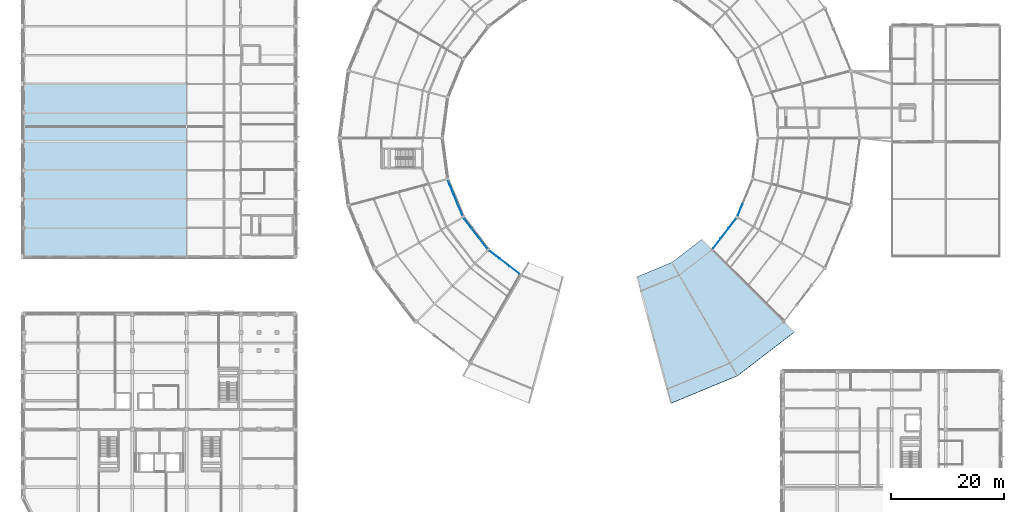
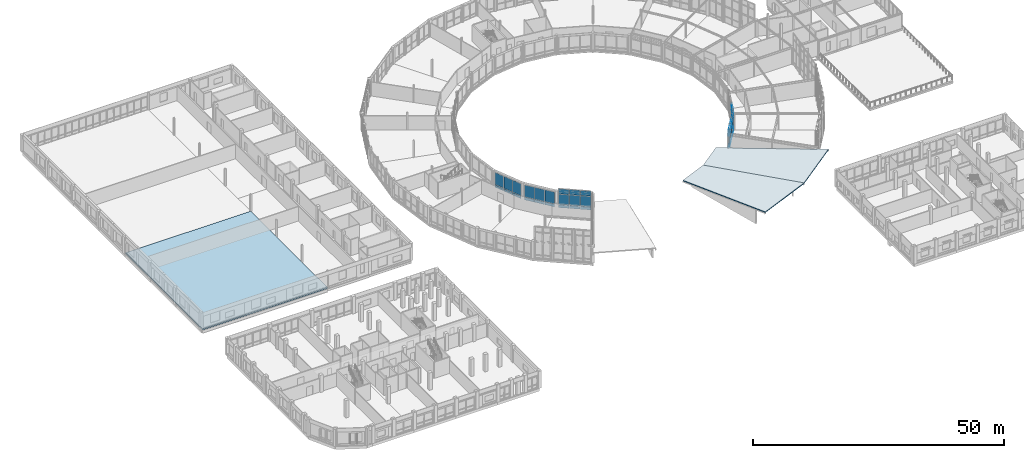
# One storey, part 138 of 185: 33 plates, 3 slabs, 5 elements without a shape of their own.
"""IFC4 building model written with IfcOpenShell, lengths in metres."""

import ifcopenshell
import ifcopenshell.guid

model = None  # the IFC model being written
_history = None  # IfcOwnerHistory: only IFC2X3 demands one
_inside = {}  # id of a spatial element -> (the spatial element, [elements in it])
_under = {}  # id of a project, library or spatial element -> (it, [spatial elements below it])
_declared = {}  # id of a project -> (the project, [libraries it declares])
_typed = {}  # id of a type object -> (the type object, [elements of that type])
_made_of = {}  # id of a material, layer set ... -> (it, [elements and type objects made of it])


def new_model(schema):
    """Start an empty IFC model of exactly this schema.

    Asked for "IFC4X3", IfcOpenShell would pick the latest addendum, in which some entities
    have other attributes; the version numbers below select the first issue.
    IFC2X3 requires an IfcOwnerHistory on every rooted entity: one is made here for all.
    """
    global model, _history
    if schema == "IFC4X3":
        model = ifcopenshell.file(schema_version=(4, 3, 0, 0))
    else:
        model = ifcopenshell.file(schema=schema)
    _inside.clear()
    _under.clear()
    _declared.clear()
    _typed.clear()
    _made_of.clear()
    _history = None
    if model.schema == "IFC2X3":
        org = make("IfcOrganization", Name="unknown")
        user = make(
            "IfcPersonAndOrganization",
            ThePerson=make("IfcPerson", FamilyName="unknown"),
            TheOrganization=org,
        )
        app = make(
            "IfcApplication",
            ApplicationDeveloper=org,
            Version="unknown",
            ApplicationFullName="unknown",
            ApplicationIdentifier="unknown",
        )
        _history = make(
            "IfcOwnerHistory",
            OwningUser=user,
            OwningApplication=app,
            ChangeAction="ADDED",
            CreationDate=0,
        )
    return model


def make(cls, **values):
    """One entity of the class cls with the attributes given. An attribute that is None is left unset."""
    return model.create_entity(
        cls, **{name: value for name, value in values.items() if value is not None}
    )


def rooted(cls, **values):
    """An entity with a GlobalId (a new one), such as an element, a storey or a relation."""
    return make(cls, GlobalId=ifcopenshell.guid.new(), OwnerHistory=_history, **values)


def si_unit(unit_type, name, prefix=None):
    """IfcSIUnit, for example si_unit("LENGTHUNIT", "METRE", prefix="MILLI")."""
    return make("IfcSIUnit", UnitType=unit_type, Prefix=prefix, Name=name)


def assignment(units):
    """IfcUnitAssignment: the units of a project."""
    return None if units is None else make("IfcUnitAssignment", Units=units)


def point(xyz):
    """IfcCartesianPoint."""
    return None if xyz is None else make("IfcCartesianPoint", Coordinates=xyz)


def direction(xyz):
    """IfcDirection."""
    return None if xyz is None else make("IfcDirection", DirectionRatios=xyz)


def frame(location, z_axis=None, x_axis=None):
    """IfcAxis2Placement3D, a coordinate frame: its origin and axes. An axis left out is left unset."""
    return make(
        "IfcAxis2Placement3D",
        Location=point(location),
        Axis=direction(z_axis),
        RefDirection=direction(x_axis),
    )


def frame_2d(location, x_axis=None):
    """IfcAxis2Placement2D, a coordinate frame in the plane: its origin and x axis."""
    return make(
        "IfcAxis2Placement2D", Location=point(location), RefDirection=direction(x_axis)
    )


def origin():
    """The frame at (0, 0, 0) with its axes left unset."""
    return frame((0.0, 0.0, 0.0))


def origin_2d():
    """The frame at (0, 0) in the plane with its x axis left unset."""
    return frame_2d((0.0, 0.0))


def place(relative_to, where):
    """IfcLocalPlacement: puts the frame where relative to a parent placement (None: the world)."""
    return make(
        "IfcLocalPlacement", PlacementRelTo=relative_to, RelativePlacement=where
    )


def context(
    kind, dimensions, precision=None, world=None, true_north=None, identifier=None
):
    """IfcGeometricRepresentationContext, for example the 3D "Model" context."""
    return make(
        "IfcGeometricRepresentationContext",
        ContextIdentifier=identifier,
        ContextType=kind,
        CoordinateSpaceDimension=dimensions,
        Precision=precision,
        WorldCoordinateSystem=world,
        TrueNorth=true_north,
    )


def subcontext(parent, identifier, kind, view, scale=None):
    """IfcGeometricRepresentationSubContext, for example "Body" below "Model"."""
    return make(
        "IfcGeometricRepresentationSubContext",
        ContextIdentifier=identifier,
        ContextType=kind,
        ParentContext=parent,
        TargetScale=scale,
        TargetView=view,
    )


def project(units=None, contexts=None):
    """IfcProject with its units and contexts."""
    return rooted(
        "IfcProject",
        Name="project",
        RepresentationContexts=contexts,
        UnitsInContext=assignment(units),
    )


def spatial(cls, under=None, at=None, **own):
    """A site, building, storey or space (cls), placed at a placement, below another one or the project."""
    s = rooted(cls, ObjectPlacement=at, **own)
    if under is not None:
        _under.setdefault(under.id(), (under, []))[1].append(s)
    return s


def polyline(points):
    """IfcPolyline through the points."""
    return make("IfcPolyline", Points=[point(p) for p in points])


def profile(cls, at=None, kind="AREA", **sizes):
    """A parametric profile (cls). Its sizes go by their IFC names, for example OverallWidth=200.0."""
    return make(cls, ProfileType=kind, Position=at, **sizes)


def rectangle(**sizes):
    """IfcRectangleProfileDef."""
    return profile("IfcRectangleProfileDef", **sizes)


def outline(outer, holes=None, kind="AREA"):
    """IfcArbitraryClosedProfileDef: a profile drawn as a closed curve; with holes, ...WithVoids."""
    if holes is None:
        return make("IfcArbitraryClosedProfileDef", ProfileType=kind, OuterCurve=outer)
    return make(
        "IfcArbitraryProfileDefWithVoids",
        ProfileType=kind,
        OuterCurve=outer,
        InnerCurves=holes,
    )


def extrude(swept, where, along, depth):
    """IfcExtrudedAreaSolid: the profile swept, set in the frame where, extruded along a direction by depth."""
    return make(
        "IfcExtrudedAreaSolid",
        SweptArea=swept,
        Position=where,
        ExtrudedDirection=direction(along),
        Depth=depth,
    )


def shape(context_of_items, identifier, shape_type, items):
    """IfcShapeRepresentation: the items that make up one representation, for example the "Body"."""
    return make(
        "IfcShapeRepresentation",
        ContextOfItems=context_of_items,
        RepresentationIdentifier=identifier,
        RepresentationType=shape_type,
        Items=items,
    )


def material(Name=None, Category=None):
    """IfcMaterial."""
    return make("IfcMaterial", Name=Name, Category=Category)


def layer(
    of_material, thickness, ventilated=None, Name=None, Category=None, Priority=None
):
    """IfcMaterialLayer: one layer of a wall or slab, of a material (None: an air gap)."""
    return make(
        "IfcMaterialLayer",
        Material=of_material,
        LayerThickness=thickness,
        IsVentilated=ventilated,
        Name=Name,
        Category=Category,
        Priority=Priority,
    )


def layer_set(layers, Name=None):
    """IfcMaterialLayerSet."""
    return make("IfcMaterialLayerSet", MaterialLayers=layers, LayerSetName=Name)


def made_of(thing, what):
    """Note that an element or type object is made of a material, layer set ...; save() writes the relation."""
    if what is not None:
        _made_of.setdefault(what.id(), (what, []))[1].append(thing)
    return thing


def type_object(cls, material=None, **own):
    """A type object (cls), such as IfcWallType, which elements share."""
    return made_of(rooted(cls, **own), material)


def element(
    cls,
    number,
    at=None,
    inside=None,
    cuts=None,
    type_object=None,
    material=None,
    context=None,
    identifier="Body",
    shape_type=None,
    held_by="IfcProductDefinitionShape",
    body=None,
    shapes=None,
    **own,
):
    """One element of the class cls, such as IfcWall. Its Tag is "e" and its number.

    at: its placement. inside: the storey or other place that contains it. cuts: it is an
    opening in that element (IfcRelVoidsElement). A single representation is given by context,
    identifier, shape_type and body (its items); several are given by shapes. held_by: the class
    of the entity that holds the representations. save() writes the other relations.
    """
    e = rooted(cls, Tag="e%d" % number, ObjectPlacement=at, **own)
    if body is not None:
        shapes = [shape(context, identifier, shape_type, body)]
    if shapes is not None:
        e.Representation = make(held_by, Representations=shapes)
    if inside is not None:
        _inside.setdefault(inside.id(), (inside, []))[1].append(e)
    if cuts is not None:
        rooted(
            "IfcRelVoidsElement", RelatingBuildingElement=cuts, RelatedOpeningElement=e
        )
    if type_object is not None:
        _typed.setdefault(type_object.id(), (type_object, []))[1].append(e)
    return made_of(e, material)


def aggregate(whole, parts):
    """IfcRelAggregates: a whole, such as a stair, and the parts it consists of."""
    return rooted("IfcRelAggregates", RelatingObject=whole, RelatedObjects=parts)


def save(model, path):
    """Write the relations noted so far, then the file.

    IfcRelAggregates (storeys below a building ...), IfcRelContainedInSpatialStructure (elements
    in a storey), IfcRelDefinesByType, IfcRelAssociatesMaterial and IfcRelDeclares: one each for
    every whole, place, type object, material and project.
    """
    for whole, parts in _under.values():
        aggregate(whole, parts)
    for where, things in _inside.values():
        rooted(
            "IfcRelContainedInSpatialStructure",
            RelatedElements=things,
            RelatingStructure=where,
        )
    for kind, things in _typed.values():
        rooted("IfcRelDefinesByType", RelatedObjects=things, RelatingType=kind)
    for what, things in _made_of.values():
        rooted("IfcRelAssociatesMaterial", RelatedObjects=things, RelatingMaterial=what)
    for by, libraries in _declared.values():
        rooted("IfcRelDeclares", RelatingContext=by, RelatedDefinitions=libraries)
    model.write(path)


model = new_model("IFC4")

# Units and contexts
model_context = context("Model", 3, precision=1e-05, world=origin(), true_north=direction((0.0, 1.0)))
body_context = subcontext(model_context, "Body", "Model", "MODEL_VIEW")
ifc_project = project(units=[si_unit("LENGTHUNIT", "METRE"), si_unit("AREAUNIT", "SQUARE_METRE"), si_unit("VOLUMEUNIT", "CUBIC_METRE"), si_unit("PLANEANGLEUNIT", "RADIAN"), si_unit("MASSUNIT", "GRAM", prefix="KILO")], contexts=[model_context])

# Site, building, storey
site_placement = place(None, origin())
site = spatial("IfcSite", under=ifc_project, at=site_placement, CompositionType="ELEMENT")
building_placement = place(site_placement, origin())
building = spatial("IfcBuilding", under=site, at=building_placement, Name="Vondelvale Polytechnic", CompositionType="ELEMENT")
storey_placement = place(building_placement, frame((0.0, 0.0, 9.60009765625)))
storey = spatial("IfcBuildingStorey", under=building, at=storey_placement, Name="L02", CompositionType="ELEMENT", Elevation=9.60009765625)

# Curtain wall, plates
ifc_material_1 = material(Name="Anodised extruded aluminium 6063-T6", Category="aluminium")
curtain_wall_type = type_object("IfcCurtainWallType", Name="CW-RING-CLOISTER", PredefinedType="NOTDEFINED", material=ifc_material_1)
curtain_wall_1_placement = place(storey_placement, origin())
curtain_wall_1 = element("IfcCurtainWall", 1, at=curtain_wall_1_placement, inside=storey, type_object=curtain_wall_type, Name="L02 architectural curtain wall CW-03-283", PredefinedType="NOTDEFINED")
ifc_material_2 = material(Name="Double-glazed low-E insulated architectural glass", Category="glass")
ifc_layer_1 = layer(ifc_material_2, 0.028076171875)
ifc_layer_set_1 = layer_set([ifc_layer_1], Name="CW-PANEL-GLAZED")
plate_type_1 = type_object("IfcPlateType", Name="CW-PANEL-GLAZED", PredefinedType="CURTAIN_PANEL", material=ifc_layer_set_1)
plate_1_placement = place(storey_placement, frame((75.51123046875, 63.408203125, 0.7822265625), z_axis=(0.0, 0.0, 1.0), x_axis=(0.382678531697, -0.923881562419, 0.0)))
plate_1 = element("IfcPlate", 2, at=plate_1_placement, type_object=plate_type_1, Name="CW-03-283 panel 1.2", PredefinedType="CURTAIN_PANEL", context=body_context, shape_type="SweptSolid", body=[
    extrude(rectangle(XDim=2.111572265625, YDim=0.028076171875, at=origin_2d()), origin(), (0.0, 0.0, 1.0), 2.902587890625),
])
plate_2_placement = place(storey_placement, frame((76.352783203125, 61.37646484375, 0.7822265625), z_axis=(0.0, 0.0, 1.0), x_axis=(0.382678531697, -0.923881562419, 0.0)))
plate_2 = element("IfcPlate", 3, at=plate_2_placement, type_object=plate_type_1, Name="CW-03-283 panel 2.2", PredefinedType="CURTAIN_PANEL", context=body_context, shape_type="SweptSolid", body=[
    extrude(rectangle(XDim=2.146484375, YDim=0.028076171875, at=origin_2d()), origin(), (0.0, 0.0, 1.0), 2.902587890625),
])
plate_3_placement = place(storey_placement, frame((77.194091796875, 59.344970703125, 0.7822265625), z_axis=(0.0, 0.0, 1.0), x_axis=(0.382678531697, -0.923881562419, 0.0)))
plate_3 = element("IfcPlate", 4, at=plate_3_placement, type_object=plate_type_1, Name="CW-03-283 panel 3.2", PredefinedType="CURTAIN_PANEL", context=body_context, shape_type="SweptSolid", body=[
    extrude(rectangle(XDim=2.111572265625, YDim=0.028076171875, at=origin_2d()), origin(), (0.0, 0.0, 1.0), 2.902587890625),
])

curtain_wall_2_placement = place(storey_placement, origin())
curtain_wall_2 = element("IfcCurtainWall", 5, at=curtain_wall_2_placement, inside=storey, type_object=curtain_wall_type, Name="L02 architectural curtain wall CW-03-302", PredefinedType="NOTDEFINED")
plate_4_placement = place(storey_placement, frame((78.636962890625, 56.845703125, 0.7822265625), z_axis=(0.0, 0.0, 1.0), x_axis=(0.608747717793, -0.793363861089, 0.0)))
plate_4 = element("IfcPlate", 6, at=plate_4_placement, type_object=plate_type_1, Name="CW-03-302 panel 1.2", PredefinedType="CURTAIN_PANEL", context=body_context, shape_type="SweptSolid", body=[
    extrude(rectangle(XDim=2.1123046875, YDim=0.028076171875, at=origin_2d()), origin(), (0.0, 0.0, 1.0), 2.902587890625),
])
plate_5_placement = place(storey_placement, frame((79.97607421875, 55.1005859375, 0.7822265625), z_axis=(0.0, 0.0, 1.0), x_axis=(0.608747717793, -0.793363861089, 0.0)))
plate_5 = element("IfcPlate", 7, at=plate_5_placement, type_object=plate_type_1, Name="CW-03-302 panel 2.2", PredefinedType="CURTAIN_PANEL", context=body_context, shape_type="SweptSolid", body=[
    extrude(rectangle(XDim=2.1474609375, YDim=0.028076171875, at=origin_2d()), origin(), (0.0, 0.0, 1.0), 2.902587890625),
])
plate_6_placement = place(storey_placement, frame((81.3154296875, 53.355224609375, 0.7822265625), z_axis=(0.0, 0.0, 1.0), x_axis=(0.608747717793, -0.793363861089, 0.0)))
plate_6 = element("IfcPlate", 8, at=plate_6_placement, type_object=plate_type_1, Name="CW-03-302 panel 3.2", PredefinedType="CURTAIN_PANEL", context=body_context, shape_type="SweptSolid", body=[
    extrude(rectangle(XDim=2.1123046875, YDim=0.028076171875, at=origin_2d()), origin(), (0.0, 0.0, 1.0), 2.902587890625),
])

curtain_wall_3_placement = place(storey_placement, origin())
curtain_wall_3 = element("IfcCurtainWall", 9, at=curtain_wall_3_placement, inside=storey, type_object=curtain_wall_type, Name="L02 architectural curtain wall CW-03-321", PredefinedType="NOTDEFINED")
plate_7_placement = place(storey_placement, frame((83.355224609375, 51.3154296875, 0.7822265625), z_axis=(0.0, 0.0, 1.0), x_axis=(0.793363861089, -0.608747717793, 0.0)))
plate_7 = element("IfcPlate", 10, at=plate_7_placement, type_object=plate_type_1, Name="CW-03-321 panel 1.2", PredefinedType="CURTAIN_PANEL", context=body_context, shape_type="SweptSolid", body=[
    extrude(rectangle(XDim=2.1123046875, YDim=0.028076171875, at=origin_2d()), origin(), (0.0, 0.0, 1.0), 2.548095703125),
])
plate_8_placement = place(storey_placement, frame((83.355224609375, 51.3154296875, 3.395751953125), z_axis=(0.0, 0.0, 1.0), x_axis=(0.793363861089, -0.608747717793, 0.0)))
plate_8 = element("IfcPlate", 11, at=plate_8_placement, type_object=plate_type_1, Name="CW-03-321 panel 1.3", PredefinedType="CURTAIN_PANEL", context=body_context, shape_type="SweptSolid", body=[
    extrude(rectangle(XDim=2.1123046875, YDim=0.028076171875, at=origin_2d()), origin(), (0.0, 0.0, 1.0), 1.25244140625),
])
plate_9_placement = place(storey_placement, frame((85.1005859375, 49.97607421875, 0.7822265625), z_axis=(0.0, 0.0, 1.0), x_axis=(0.793363861089, -0.608747717793, 0.0)))
plate_9 = element("IfcPlate", 12, at=plate_9_placement, type_object=plate_type_1, Name="CW-03-321 panel 2.2", PredefinedType="CURTAIN_PANEL", context=body_context, shape_type="SweptSolid", body=[
    extrude(rectangle(XDim=2.1474609375, YDim=0.028076171875, at=origin_2d()), origin(), (0.0, 0.0, 1.0), 2.548095703125),
])
plate_10_placement = place(storey_placement, frame((85.1005859375, 49.97607421875, 3.395751953125), z_axis=(0.0, 0.0, 1.0), x_axis=(0.793363861089, -0.608747717793, 0.0)))
plate_10 = element("IfcPlate", 13, at=plate_10_placement, type_object=plate_type_1, Name="CW-03-321 panel 2.3", PredefinedType="CURTAIN_PANEL", context=body_context, shape_type="SweptSolid", body=[
    extrude(rectangle(XDim=2.1474609375, YDim=0.028076171875, at=origin_2d()), origin(), (0.0, 0.0, 1.0), 1.25244140625),
])
plate_11_placement = place(storey_placement, frame((86.845703125, 48.636962890625, 0.7822265625), z_axis=(0.0, 0.0, 1.0), x_axis=(0.793363861089, -0.608747717793, 0.0)))
plate_11 = element("IfcPlate", 14, at=plate_11_placement, type_object=plate_type_1, Name="CW-03-321 panel 3.2", PredefinedType="CURTAIN_PANEL", context=body_context, shape_type="SweptSolid", body=[
    extrude(rectangle(XDim=2.1123046875, YDim=0.028076171875, at=origin_2d()), origin(), (0.0, 0.0, 1.0), 2.548095703125),
])
plate_12_placement = place(storey_placement, frame((86.845703125, 48.636962890625, 3.395751953125), z_axis=(0.0, 0.0, 1.0), x_axis=(0.793363861089, -0.608747717793, 0.0)))
plate_12 = element("IfcPlate", 15, at=plate_12_placement, type_object=plate_type_1, Name="CW-03-321 panel 3.3", PredefinedType="CURTAIN_PANEL", context=body_context, shape_type="SweptSolid", body=[
    extrude(rectangle(XDim=2.1123046875, YDim=0.028076171875, at=origin_2d()), origin(), (0.0, 0.0, 1.0), 1.25244140625),
])

curtain_wall_4_placement = place(storey_placement, origin())
curtain_wall_4 = element("IfcCurtainWall", 16, at=curtain_wall_4_placement, inside=storey, type_object=curtain_wall_type, Name="L02 architectural curtain wall CW-03-355", PredefinedType="NOTDEFINED")
plate_13_placement = place(storey_placement, frame((122.6845703125, 53.355224609375, 0.7822265625), z_axis=(0.0, 0.0, 1.0), x_axis=(0.608747717793, 0.793363861089, 0.0)))
plate_13 = element("IfcPlate", 17, at=plate_13_placement, type_object=plate_type_1, Name="CW-03-355 panel 1.2", PredefinedType="CURTAIN_PANEL", context=body_context, shape_type="SweptSolid", body=[
    extrude(rectangle(XDim=2.1123046875, YDim=0.028076171875, at=origin_2d()), origin(), (0.0, 0.0, 1.0), 2.548095703125),
])
plate_14_placement = place(storey_placement, frame((122.6845703125, 53.355224609375, 3.395751953125), z_axis=(0.0, 0.0, 1.0), x_axis=(0.608747717793, 0.793363861089, 0.0)))
plate_14 = element("IfcPlate", 18, at=plate_14_placement, type_object=plate_type_1, Name="CW-03-355 panel 1.3", PredefinedType="CURTAIN_PANEL", context=body_context, shape_type="SweptSolid", body=[
    extrude(rectangle(XDim=2.1123046875, YDim=0.028076171875, at=origin_2d()), origin(), (0.0, 0.0, 1.0), 1.25244140625),
])
plate_15_placement = place(storey_placement, frame((124.02392578125, 55.1005859375, 0.7822265625), z_axis=(0.0, 0.0, 1.0), x_axis=(0.608747717793, 0.793363861089, 0.0)))
plate_15 = element("IfcPlate", 19, at=plate_15_placement, type_object=plate_type_1, Name="CW-03-355 panel 2.2", PredefinedType="CURTAIN_PANEL", context=body_context, shape_type="SweptSolid", body=[
    extrude(rectangle(XDim=2.1474609375, YDim=0.028076171875, at=origin_2d()), origin(), (0.0, 0.0, 1.0), 2.548095703125),
])
plate_16_placement = place(storey_placement, frame((124.02392578125, 55.1005859375, 3.395751953125), z_axis=(0.0, 0.0, 1.0), x_axis=(0.608747717793, 0.793363861089, 0.0)))
plate_16 = element("IfcPlate", 20, at=plate_16_placement, type_object=plate_type_1, Name="CW-03-355 panel 2.3", PredefinedType="CURTAIN_PANEL", context=body_context, shape_type="SweptSolid", body=[
    extrude(rectangle(XDim=2.1474609375, YDim=0.028076171875, at=origin_2d()), origin(), (0.0, 0.0, 1.0), 1.25244140625),
])
plate_17_placement = place(storey_placement, frame((125.363037109375, 56.845703125, 0.7822265625), z_axis=(0.0, 0.0, 1.0), x_axis=(0.608747717793, 0.793363861089, 0.0)))
plate_17 = element("IfcPlate", 21, at=plate_17_placement, type_object=plate_type_1, Name="CW-03-355 panel 3.2", PredefinedType="CURTAIN_PANEL", context=body_context, shape_type="SweptSolid", body=[
    extrude(rectangle(XDim=2.1123046875, YDim=0.028076171875, at=origin_2d()), origin(), (0.0, 0.0, 1.0), 2.548095703125),
])
plate_18_placement = place(storey_placement, frame((125.363037109375, 56.845703125, 3.395751953125), z_axis=(0.0, 0.0, 1.0), x_axis=(0.608747717793, 0.793363861089, 0.0)))
plate_18 = element("IfcPlate", 22, at=plate_18_placement, type_object=plate_type_1, Name="CW-03-355 panel 3.3", PredefinedType="CURTAIN_PANEL", context=body_context, shape_type="SweptSolid", body=[
    extrude(rectangle(XDim=2.1123046875, YDim=0.028076171875, at=origin_2d()), origin(), (0.0, 0.0, 1.0), 1.25244140625),
])

curtain_wall_5_placement = place(storey_placement, origin())
curtain_wall_5 = element("IfcCurtainWall", 23, at=curtain_wall_5_placement, inside=storey, type_object=curtain_wall_type, Name="L02 architectural curtain wall CW-03-366", PredefinedType="NOTDEFINED")
plate_19_placement = place(storey_placement, frame((126.805908203125, 59.344970703125, 0.7822265625), z_axis=(0.0, 0.0, 1.0), x_axis=(0.382678531697, 0.923881562419, 0.0)))
plate_19 = element("IfcPlate", 24, at=plate_19_placement, type_object=plate_type_1, Name="CW-03-366 panel 1.2", PredefinedType="CURTAIN_PANEL", context=body_context, shape_type="SweptSolid", body=[
    extrude(rectangle(XDim=2.111572265625, YDim=0.028076171875, at=origin_2d()), origin(), (0.0, 0.0, 1.0), 2.548095703125),
])
plate_20_placement = place(storey_placement, frame((126.805908203125, 59.344970703125, 3.395751953125), z_axis=(0.0, 0.0, 1.0), x_axis=(0.382678531697, 0.923881562419, 0.0)))
plate_20 = element("IfcPlate", 25, at=plate_20_placement, type_object=plate_type_1, Name="CW-03-366 panel 1.3", PredefinedType="CURTAIN_PANEL", context=body_context, shape_type="SweptSolid", body=[
    extrude(rectangle(XDim=2.111572265625, YDim=0.028076171875, at=origin_2d()), origin(), (0.0, 0.0, 1.0), 1.25244140625),
])

# Plate
ifc_material_3 = material(Name="Engineered Tasmanian oak studio and bridge joinery")
ifc_layer_2 = layer(ifc_material_3, 0.0419921875)
ifc_layer_set_2 = layer_set([ifc_layer_2], Name="CW-PANEL-OAK")
plate_type_2 = type_object("IfcPlateType", Name="CW-PANEL-OAK", PredefinedType="CURTAIN_PANEL", material=ifc_layer_set_2)
plate_21_placement = place(storey_placement, frame((75.51123046875, 63.408203125, 0.06494140625), z_axis=(0.0, 0.0, 1.0), x_axis=(0.382678531697, -0.923881562419, 0.0)))
plate_21 = element("IfcPlate", 26, at=plate_21_placement, type_object=plate_type_2, Name="CW-03-283 panel 1.1", PredefinedType="CURTAIN_PANEL", context=body_context, shape_type="SweptSolid", body=[
    extrude(rectangle(XDim=2.111572265625, YDim=0.0419921875, at=origin_2d()), origin(), (0.0, 0.0, 1.0), 0.652587890625),
])

plate_22_placement = place(storey_placement, frame((76.352783203125, 61.37646484375, 0.06494140625), z_axis=(0.0, 0.0, 1.0), x_axis=(0.382678531697, -0.923881562419, 0.0)))
plate_22 = element("IfcPlate", 27, at=plate_22_placement, type_object=plate_type_2, Name="CW-03-283 panel 2.1", PredefinedType="CURTAIN_PANEL", context=body_context, shape_type="SweptSolid", body=[
    extrude(rectangle(XDim=2.146484375, YDim=0.0419921875, at=origin_2d()), origin(), (0.0, 0.0, 1.0), 0.652587890625),
])

plate_23_placement = place(storey_placement, frame((77.194091796875, 59.344970703125, 0.06494140625), z_axis=(0.0, 0.0, 1.0), x_axis=(0.382678531697, -0.923881562419, 0.0)))
plate_23 = element("IfcPlate", 28, at=plate_23_placement, type_object=plate_type_2, Name="CW-03-283 panel 3.1", PredefinedType="CURTAIN_PANEL", context=body_context, shape_type="SweptSolid", body=[
    extrude(rectangle(XDim=2.111572265625, YDim=0.0419921875, at=origin_2d()), origin(), (0.0, 0.0, 1.0), 0.652587890625),
])

aggregate(curtain_wall_1, [plate_21, plate_1, plate_22, plate_2, plate_23, plate_3])

plate_24_placement = place(storey_placement, frame((78.636962890625, 56.845703125, 0.06494140625), z_axis=(0.0, 0.0, 1.0), x_axis=(0.608747717793, -0.793363861089, 0.0)))
plate_24 = element("IfcPlate", 29, at=plate_24_placement, type_object=plate_type_2, Name="CW-03-302 panel 1.1", PredefinedType="CURTAIN_PANEL", context=body_context, shape_type="SweptSolid", body=[
    extrude(rectangle(XDim=2.1123046875, YDim=0.0419921875, at=origin_2d()), origin(), (0.0, 0.0, 1.0), 0.652587890625),
])

plate_25_placement = place(storey_placement, frame((79.97607421875, 55.1005859375, 0.06494140625), z_axis=(0.0, 0.0, 1.0), x_axis=(0.608747717793, -0.793363861089, 0.0)))
plate_25 = element("IfcPlate", 30, at=plate_25_placement, type_object=plate_type_2, Name="CW-03-302 panel 2.1", PredefinedType="CURTAIN_PANEL", context=body_context, shape_type="SweptSolid", body=[
    extrude(rectangle(XDim=2.1474609375, YDim=0.0419921875, at=origin_2d()), origin(), (0.0, 0.0, 1.0), 0.652587890625),
])

plate_26_placement = place(storey_placement, frame((81.3154296875, 53.355224609375, 0.06494140625), z_axis=(0.0, 0.0, 1.0), x_axis=(0.608747717793, -0.793363861089, 0.0)))
plate_26 = element("IfcPlate", 31, at=plate_26_placement, type_object=plate_type_2, Name="CW-03-302 panel 3.1", PredefinedType="CURTAIN_PANEL", context=body_context, shape_type="SweptSolid", body=[
    extrude(rectangle(XDim=2.1123046875, YDim=0.0419921875, at=origin_2d()), origin(), (0.0, 0.0, 1.0), 0.652587890625),
])

aggregate(curtain_wall_2, [plate_24, plate_4, plate_25, plate_5, plate_26, plate_6])

plate_27_placement = place(storey_placement, frame((83.355224609375, 51.3154296875, 0.06494140625), z_axis=(0.0, 0.0, 1.0), x_axis=(0.793363861089, -0.608747717793, 0.0)))
plate_27 = element("IfcPlate", 32, at=plate_27_placement, type_object=plate_type_2, Name="CW-03-321 panel 1.1", PredefinedType="CURTAIN_PANEL", context=body_context, shape_type="SweptSolid", body=[
    extrude(rectangle(XDim=2.1123046875, YDim=0.0419921875, at=origin_2d()), origin(), (0.0, 0.0, 1.0), 0.652587890625),
])

plate_28_placement = place(storey_placement, frame((85.1005859375, 49.97607421875, 0.06494140625), z_axis=(0.0, 0.0, 1.0), x_axis=(0.793363861089, -0.608747717793, 0.0)))
plate_28 = element("IfcPlate", 33, at=plate_28_placement, type_object=plate_type_2, Name="CW-03-321 panel 2.1", PredefinedType="CURTAIN_PANEL", context=body_context, shape_type="SweptSolid", body=[
    extrude(rectangle(XDim=2.1474609375, YDim=0.0419921875, at=origin_2d()), origin(), (0.0, 0.0, 1.0), 0.652587890625),
])

plate_29_placement = place(storey_placement, frame((86.845703125, 48.636962890625, 0.06494140625), z_axis=(0.0, 0.0, 1.0), x_axis=(0.793363861089, -0.608747717793, 0.0)))
plate_29 = element("IfcPlate", 34, at=plate_29_placement, type_object=plate_type_2, Name="CW-03-321 panel 3.1", PredefinedType="CURTAIN_PANEL", context=body_context, shape_type="SweptSolid", body=[
    extrude(rectangle(XDim=2.1123046875, YDim=0.0419921875, at=origin_2d()), origin(), (0.0, 0.0, 1.0), 0.652587890625),
])

aggregate(curtain_wall_3, [plate_27, plate_7, plate_8, plate_28, plate_9, plate_10, plate_29, plate_11, plate_12])

plate_30_placement = place(storey_placement, frame((122.6845703125, 53.355224609375, 0.06494140625), z_axis=(0.0, 0.0, 1.0), x_axis=(0.608747717793, 0.793363861089, 0.0)))
plate_30 = element("IfcPlate", 35, at=plate_30_placement, type_object=plate_type_2, Name="CW-03-355 panel 1.1", PredefinedType="CURTAIN_PANEL", context=body_context, shape_type="SweptSolid", body=[
    extrude(rectangle(XDim=2.1123046875, YDim=0.0419921875, at=origin_2d()), origin(), (0.0, 0.0, 1.0), 0.652587890625),
])

plate_31_placement = place(storey_placement, frame((124.02392578125, 55.1005859375, 0.06494140625), z_axis=(0.0, 0.0, 1.0), x_axis=(0.608747717793, 0.793363861089, 0.0)))
plate_31 = element("IfcPlate", 36, at=plate_31_placement, type_object=plate_type_2, Name="CW-03-355 panel 2.1", PredefinedType="CURTAIN_PANEL", context=body_context, shape_type="SweptSolid", body=[
    extrude(rectangle(XDim=2.1474609375, YDim=0.0419921875, at=origin_2d()), origin(), (0.0, 0.0, 1.0), 0.652587890625),
])

plate_32_placement = place(storey_placement, frame((125.363037109375, 56.845703125, 0.06494140625), z_axis=(0.0, 0.0, 1.0), x_axis=(0.608747717793, 0.793363861089, 0.0)))
plate_32 = element("IfcPlate", 37, at=plate_32_placement, type_object=plate_type_2, Name="CW-03-355 panel 3.1", PredefinedType="CURTAIN_PANEL", context=body_context, shape_type="SweptSolid", body=[
    extrude(rectangle(XDim=2.1123046875, YDim=0.0419921875, at=origin_2d()), origin(), (0.0, 0.0, 1.0), 0.652587890625),
])

aggregate(curtain_wall_4, [plate_30, plate_13, plate_14, plate_31, plate_15, plate_16, plate_32, plate_17, plate_18])

plate_33_placement = place(storey_placement, frame((126.805908203125, 59.344970703125, 0.06494140625), z_axis=(0.0, 0.0, 1.0), x_axis=(0.382678531697, 0.923881562419, 0.0)))
plate_33 = element("IfcPlate", 38, at=plate_33_placement, type_object=plate_type_2, Name="CW-03-366 panel 1.1", PredefinedType="CURTAIN_PANEL", context=body_context, shape_type="SweptSolid", body=[
    extrude(rectangle(XDim=2.111572265625, YDim=0.0419921875, at=origin_2d()), origin(), (0.0, 0.0, 1.0), 0.652587890625),
])

aggregate(curtain_wall_5, [plate_33, plate_19, plate_20])

# Slabs
ifc_material_4 = material(Name="Concrete N40 (f'c = 40 MPa)", Category="concrete")
ifc_layer_3 = layer(ifc_material_4, 0.199951171875)
ifc_layer_set_3 = layer_set([ifc_layer_3], Name="SLB-ROOF-200")
slab_type_1 = type_object("IfcSlabType", Name="SLB-ROOF-200", PredefinedType="ROOF", material=ifc_layer_set_3)
slab_1_placement = place(storey_placement, frame((108.573974609375, 47.465576171875, 0.2998046875), z_axis=(-0.062376311028, 0.150590999507, 0.986626346035), x_axis=(0.255414942232, -0.95322377248, 0.161640486462)))
element("IfcSlab", 39, at=slab_1_placement, inside=storey, type_object=slab_type_1, Name="Ring inward-sloping dark roof slab sector 19", PredefinedType="ROOF", context=body_context, shape_type="SweptSolid", body=[
    extrude(outline(polyline([(0.0, 0.0), (23.509344421853964, 0.0), (21.87505868655071, 12.581508948541707), (-0.853999740453026, 6.575441897749939), (0.0, 0.0)])), origin(), (0.0, 0.0, -1.0), 0.199951171875),
])
slab_2_placement = place(storey_placement, frame((114.699951171875, 50.0029296875, 0.2998046875), z_axis=(-0.09922705884, 0.129315091006, 0.986626372054), x_axis=(0.493427854302, -0.854635215769, 0.161640343248)))
element("IfcSlab", 40, at=slab_2_placement, inside=storey, type_object=slab_type_1, Name="Ring inward-sloping dark roof slab sector 20", PredefinedType="ROOF", context=body_context, shape_type="SweptSolid", body=[
    extrude(outline(polyline([(0.0, 0.0), (23.50920965061948, -2.2898349882893854e-15), (21.87509307989471, 12.58146535201625), (-0.8541622756052316, 6.575527078680868), (0.0, 0.0)])), origin(), (0.0, 0.0, -1.0), 0.199951171875),
])
ifc_layer_4 = layer(ifc_material_4, 0.300048828125)
ifc_layer_set_4 = layer_set([ifc_layer_4], Name="SLB-WORKSHOP-300")
slab_type_2 = type_object("IfcSlabType", Name="SLB-WORKSHOP-300", PredefinedType="FLOOR", material=ifc_layer_set_4)
slab_3_placement = place(storey_placement, frame((0.0, 0.0, -0.280029296875)))
element("IfcSlab", 41, at=slab_3_placement, inside=storey, type_object=slab_type_2, Name="L02 workshop crane hall slab WS", PredefinedType="FLOOR", context=body_context, shape_type="SweptSolid", body=[
    extrude(outline(polyline([(0.0, 51.0), (28.800048828125, 51.0), (28.800048828125, 81.60009765625), (0.0, 81.60009765625), (0.0, 51.0)])), origin(), (0.0, 0.0, 1.0), 0.280029296875),
])

save(model, "model.ifc")
